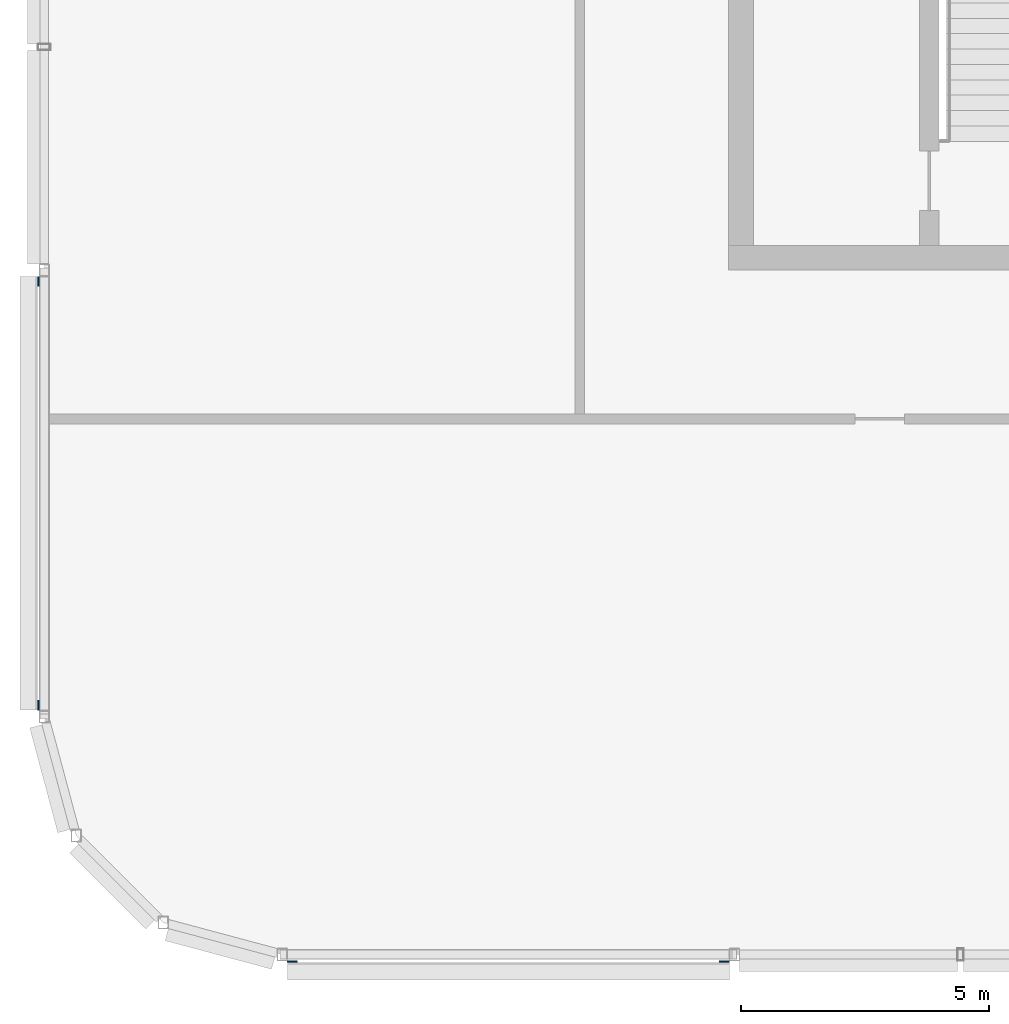
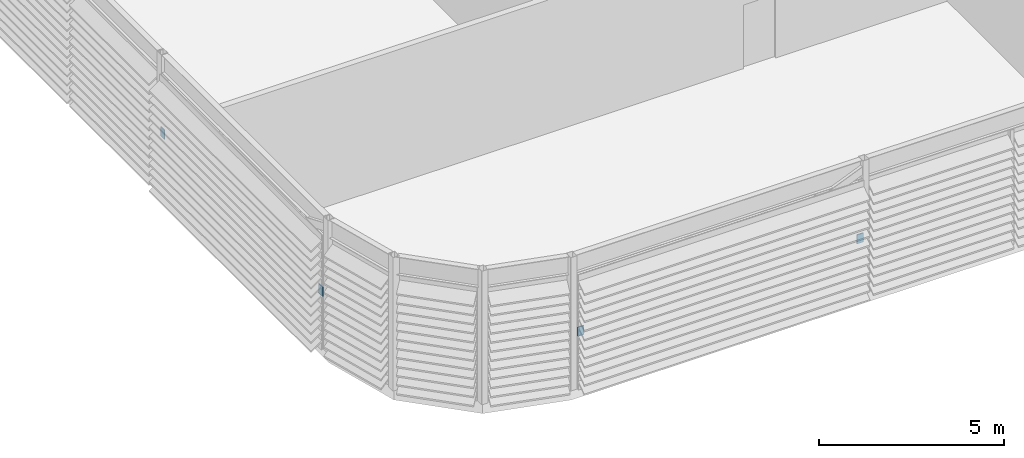
# One storey, part 17 of 27: 4 discrete accessories.
"""IFC4 building model written with IfcOpenShell, lengths in metres."""

from ifc_helpers import new_model, si_unit, direction, frame, origin, origin_2d, place, context, subcontext, project, spatial, rectangle, extrude, material, type_object, element, save


model = new_model("IFC4")

# Units and contexts
model_context = context("Model", 3, precision=1e-05, world=origin(), true_north=direction((0.0, 1.0)))
body_context = subcontext(model_context, "Body", "Model", "MODEL_VIEW")
ifc_project = project(units=[si_unit("LENGTHUNIT", "METRE"), si_unit("AREAUNIT", "SQUARE_METRE"), si_unit("VOLUMEUNIT", "CUBIC_METRE"), si_unit("PLANEANGLEUNIT", "RADIAN"), si_unit("MASSUNIT", "GRAM", prefix="KILO")], contexts=[model_context])

# Site, building, storey
site_placement = place(None, origin())
site = spatial("IfcSite", under=ifc_project, at=site_placement, CompositionType="ELEMENT")
building_placement = place(site_placement, origin())
building = spatial("IfcBuilding", under=site, at=building_placement, Name="Madar Terraces", CompositionType="ELEMENT")
storey_placement = place(building_placement, frame((0.0, 0.0, 301.10009765625)))
storey = spatial("IfcBuildingStorey", under=building, at=storey_placement, Name="L78", CompositionType="ELEMENT", Elevation=301.10009765625)

# Discrete accessories
ifc_material = material(Name="Steel, galvanised", Category="steel")
discrete_accessory_type = type_object("IfcDiscreteAccessoryType", Name="Louvre bank bracket", PredefinedType="BRACKET", material=ifc_material)
for number, where, z_axis, x_axis, name in (
    (1, (6.20166015625, 1.05810546875, 1.7490234375), (0.0, 0.0, 1.0), (1.0, 0.0, 0.0), "Louvre bank bracket"),
    (2, (14.91845703125, 1.05810546875, 1.7490234375), (0.0, 0.0, 1.0), (1.0, 0.0, 0.0), "Louvre bank bracket"),
    (3, (1.08349609375, 14.77294921875, 1.7490234375), (0.0, 0.0, 1.0), (0.0, -1.0, 0.0), "Louvre bank bracket"),
    (4, (1.08349609375, 6.22705078125, 1.7490234375), (0.0, 0.0, 1.0), (0.0, -1.0, 0.0), "Louvre bank bracket"),
):
    element("IfcDiscreteAccessory", number, at=place(storey_placement, frame(where, z_axis=z_axis, x_axis=x_axis)), inside=storey, type_object=discrete_accessory_type, Name=name, PredefinedType="BRACKET", context=body_context, shape_type="SweptSolid", body=[
        extrude(rectangle(XDim=0.199951171875, YDim=0.030029296875, at=origin_2d()), origin(), (0.0, 0.0, 1.0), 0.300048828125),
    ])

save(model, "model.ifc")
